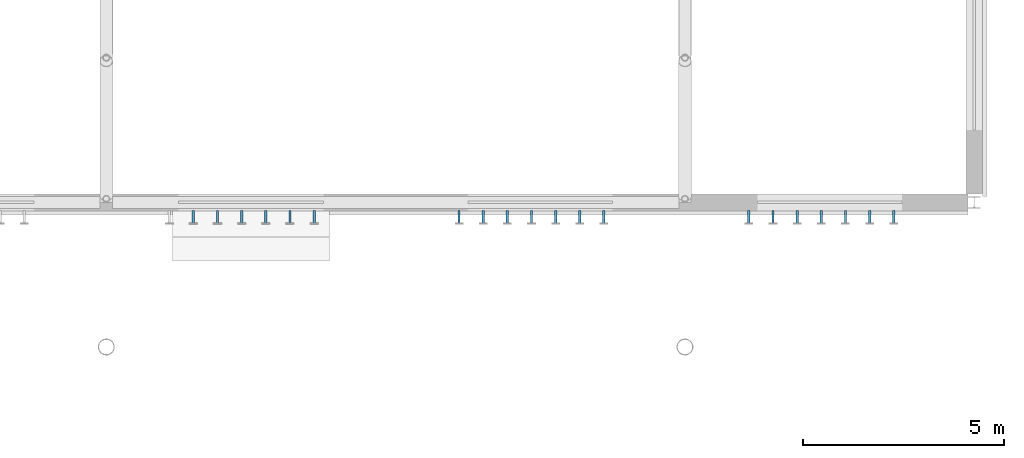
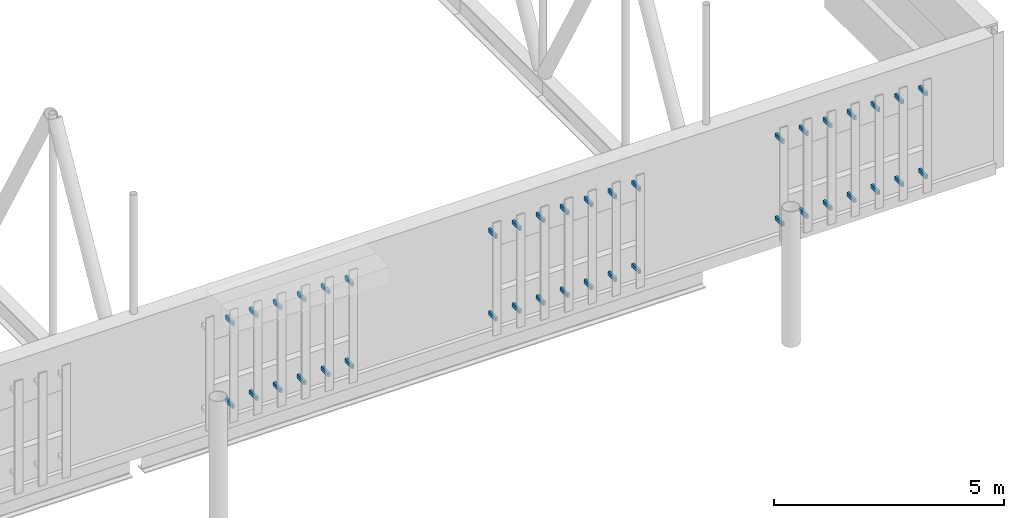
# One storey, part 112 of 142: 40 discrete accessories.
"""IFC4 building model written with IfcOpenShell, lengths in metres."""

import ifcopenshell
import ifcopenshell.guid

model = None  # the IFC model being written
_history = None  # IfcOwnerHistory: only IFC2X3 demands one
_inside = {}  # id of a spatial element -> (the spatial element, [elements in it])
_under = {}  # id of a project, library or spatial element -> (it, [spatial elements below it])
_declared = {}  # id of a project -> (the project, [libraries it declares])
_typed = {}  # id of a type object -> (the type object, [elements of that type])
_made_of = {}  # id of a material, layer set ... -> (it, [elements and type objects made of it])


def new_model(schema):
    """Start an empty IFC model of exactly this schema.

    Asked for "IFC4X3", IfcOpenShell would pick the latest addendum, in which some entities
    have other attributes; the version numbers below select the first issue.
    IFC2X3 requires an IfcOwnerHistory on every rooted entity: one is made here for all.
    """
    global model, _history
    if schema == "IFC4X3":
        model = ifcopenshell.file(schema_version=(4, 3, 0, 0))
    else:
        model = ifcopenshell.file(schema=schema)
    _inside.clear()
    _under.clear()
    _declared.clear()
    _typed.clear()
    _made_of.clear()
    _history = None
    if model.schema == "IFC2X3":
        org = make("IfcOrganization", Name="unknown")
        user = make(
            "IfcPersonAndOrganization",
            ThePerson=make("IfcPerson", FamilyName="unknown"),
            TheOrganization=org,
        )
        app = make(
            "IfcApplication",
            ApplicationDeveloper=org,
            Version="unknown",
            ApplicationFullName="unknown",
            ApplicationIdentifier="unknown",
        )
        _history = make(
            "IfcOwnerHistory",
            OwningUser=user,
            OwningApplication=app,
            ChangeAction="ADDED",
            CreationDate=0,
        )
    return model


def make(cls, **values):
    """One entity of the class cls with the attributes given. An attribute that is None is left unset."""
    return model.create_entity(
        cls, **{name: value for name, value in values.items() if value is not None}
    )


def rooted(cls, **values):
    """An entity with a GlobalId (a new one), such as an element, a storey or a relation."""
    return make(cls, GlobalId=ifcopenshell.guid.new(), OwnerHistory=_history, **values)


def si_unit(unit_type, name, prefix=None):
    """IfcSIUnit, for example si_unit("LENGTHUNIT", "METRE", prefix="MILLI")."""
    return make("IfcSIUnit", UnitType=unit_type, Prefix=prefix, Name=name)


def assignment(units):
    """IfcUnitAssignment: the units of a project."""
    return None if units is None else make("IfcUnitAssignment", Units=units)


def point(xyz):
    """IfcCartesianPoint."""
    return None if xyz is None else make("IfcCartesianPoint", Coordinates=xyz)


def direction(xyz):
    """IfcDirection."""
    return None if xyz is None else make("IfcDirection", DirectionRatios=xyz)


def frame(location, z_axis=None, x_axis=None):
    """IfcAxis2Placement3D, a coordinate frame: its origin and axes. An axis left out is left unset."""
    return make(
        "IfcAxis2Placement3D",
        Location=point(location),
        Axis=direction(z_axis),
        RefDirection=direction(x_axis),
    )


def frame_2d(location, x_axis=None):
    """IfcAxis2Placement2D, a coordinate frame in the plane: its origin and x axis."""
    return make(
        "IfcAxis2Placement2D", Location=point(location), RefDirection=direction(x_axis)
    )


def origin():
    """The frame at (0, 0, 0) with its axes left unset."""
    return frame((0.0, 0.0, 0.0))


def origin_2d():
    """The frame at (0, 0) in the plane with its x axis left unset."""
    return frame_2d((0.0, 0.0))


def place(relative_to, where):
    """IfcLocalPlacement: puts the frame where relative to a parent placement (None: the world)."""
    return make(
        "IfcLocalPlacement", PlacementRelTo=relative_to, RelativePlacement=where
    )


def context(
    kind, dimensions, precision=None, world=None, true_north=None, identifier=None
):
    """IfcGeometricRepresentationContext, for example the 3D "Model" context."""
    return make(
        "IfcGeometricRepresentationContext",
        ContextIdentifier=identifier,
        ContextType=kind,
        CoordinateSpaceDimension=dimensions,
        Precision=precision,
        WorldCoordinateSystem=world,
        TrueNorth=true_north,
    )


def subcontext(parent, identifier, kind, view, scale=None):
    """IfcGeometricRepresentationSubContext, for example "Body" below "Model"."""
    return make(
        "IfcGeometricRepresentationSubContext",
        ContextIdentifier=identifier,
        ContextType=kind,
        ParentContext=parent,
        TargetScale=scale,
        TargetView=view,
    )


def project(units=None, contexts=None):
    """IfcProject with its units and contexts."""
    return rooted(
        "IfcProject",
        Name="project",
        RepresentationContexts=contexts,
        UnitsInContext=assignment(units),
    )


def spatial(cls, under=None, at=None, **own):
    """A site, building, storey or space (cls), placed at a placement, below another one or the project."""
    s = rooted(cls, ObjectPlacement=at, **own)
    if under is not None:
        _under.setdefault(under.id(), (under, []))[1].append(s)
    return s


def profile(cls, at=None, kind="AREA", **sizes):
    """A parametric profile (cls). Its sizes go by their IFC names, for example OverallWidth=200.0."""
    return make(cls, ProfileType=kind, Position=at, **sizes)


def rectangle(**sizes):
    """IfcRectangleProfileDef."""
    return profile("IfcRectangleProfileDef", **sizes)


def extrude(swept, where, along, depth):
    """IfcExtrudedAreaSolid: the profile swept, set in the frame where, extruded along a direction by depth."""
    return make(
        "IfcExtrudedAreaSolid",
        SweptArea=swept,
        Position=where,
        ExtrudedDirection=direction(along),
        Depth=depth,
    )


def shape(context_of_items, identifier, shape_type, items):
    """IfcShapeRepresentation: the items that make up one representation, for example the "Body"."""
    return make(
        "IfcShapeRepresentation",
        ContextOfItems=context_of_items,
        RepresentationIdentifier=identifier,
        RepresentationType=shape_type,
        Items=items,
    )


def material(Name=None, Category=None):
    """IfcMaterial."""
    return make("IfcMaterial", Name=Name, Category=Category)


def layer(
    of_material, thickness, ventilated=None, Name=None, Category=None, Priority=None
):
    """IfcMaterialLayer: one layer of a wall or slab, of a material (None: an air gap)."""
    return make(
        "IfcMaterialLayer",
        Material=of_material,
        LayerThickness=thickness,
        IsVentilated=ventilated,
        Name=Name,
        Category=Category,
        Priority=Priority,
    )


def layer_set(layers, Name=None):
    """IfcMaterialLayerSet."""
    return make("IfcMaterialLayerSet", MaterialLayers=layers, LayerSetName=Name)


def made_of(thing, what):
    """Note that an element or type object is made of a material, layer set ...; save() writes the relation."""
    if what is not None:
        _made_of.setdefault(what.id(), (what, []))[1].append(thing)
    return thing


def type_object(cls, material=None, **own):
    """A type object (cls), such as IfcWallType, which elements share."""
    return made_of(rooted(cls, **own), material)


def element(
    cls,
    number,
    at=None,
    inside=None,
    cuts=None,
    type_object=None,
    material=None,
    context=None,
    identifier="Body",
    shape_type=None,
    held_by="IfcProductDefinitionShape",
    body=None,
    shapes=None,
    **own,
):
    """One element of the class cls, such as IfcWall. Its Tag is "e" and its number.

    at: its placement. inside: the storey or other place that contains it. cuts: it is an
    opening in that element (IfcRelVoidsElement). A single representation is given by context,
    identifier, shape_type and body (its items); several are given by shapes. held_by: the class
    of the entity that holds the representations. save() writes the other relations.
    """
    e = rooted(cls, Tag="e%d" % number, ObjectPlacement=at, **own)
    if body is not None:
        shapes = [shape(context, identifier, shape_type, body)]
    if shapes is not None:
        e.Representation = make(held_by, Representations=shapes)
    if inside is not None:
        _inside.setdefault(inside.id(), (inside, []))[1].append(e)
    if cuts is not None:
        rooted(
            "IfcRelVoidsElement", RelatingBuildingElement=cuts, RelatedOpeningElement=e
        )
    if type_object is not None:
        _typed.setdefault(type_object.id(), (type_object, []))[1].append(e)
    return made_of(e, material)


def aggregate(whole, parts):
    """IfcRelAggregates: a whole, such as a stair, and the parts it consists of."""
    return rooted("IfcRelAggregates", RelatingObject=whole, RelatedObjects=parts)


def save(model, path):
    """Write the relations noted so far, then the file.

    IfcRelAggregates (storeys below a building ...), IfcRelContainedInSpatialStructure (elements
    in a storey), IfcRelDefinesByType, IfcRelAssociatesMaterial and IfcRelDeclares: one each for
    every whole, place, type object, material and project.
    """
    for whole, parts in _under.values():
        aggregate(whole, parts)
    for where, things in _inside.values():
        rooted(
            "IfcRelContainedInSpatialStructure",
            RelatedElements=things,
            RelatingStructure=where,
        )
    for kind, things in _typed.values():
        rooted("IfcRelDefinesByType", RelatedObjects=things, RelatingType=kind)
    for what, things in _made_of.values():
        rooted("IfcRelAssociatesMaterial", RelatedObjects=things, RelatingMaterial=what)
    for by, libraries in _declared.values():
        rooted("IfcRelDeclares", RelatingContext=by, RelatedDefinitions=libraries)
    model.write(path)


model = new_model("IFC4")

# Units and contexts
model_context = context("Model", 3, precision=1e-05, world=origin(), true_north=direction((0.0, 1.0)))
body_context = subcontext(model_context, "Body", "Model", "MODEL_VIEW")
ifc_project = project(units=[si_unit("LENGTHUNIT", "METRE"), si_unit("AREAUNIT", "SQUARE_METRE"), si_unit("VOLUMEUNIT", "CUBIC_METRE"), si_unit("PLANEANGLEUNIT", "RADIAN"), si_unit("MASSUNIT", "GRAM", prefix="KILO")], contexts=[model_context])

# Site, building, storey
site_placement = place(None, origin())
site = spatial("IfcSite", under=ifc_project, at=site_placement, CompositionType="ELEMENT")
building_placement = place(site_placement, origin())
building = spatial("IfcBuilding", under=site, at=building_placement, Name="Kupolbacken Congress Centre", CompositionType="ELEMENT")
storey_placement = place(building_placement, frame((0.0, 0.0, 14.39990234375)))
storey = spatial("IfcBuildingStorey", under=building, at=storey_placement, Name="L04", CompositionType="ELEMENT", Elevation=14.39990234375)

# Discrete accessories
ifc_material = material(Name="Steel S355", Category="steel")
ifc_layer = layer(ifc_material, 0.011962890625)
ifc_layer_set = layer_set([ifc_layer], Name="Steel S355")
discrete_accessory_type = type_object("IfcDiscreteAccessoryType", Name="BK1 bracket 150 x 150 x 12", PredefinedType="BRACKET", material=ifc_layer_set)
for number, where, z_axis, x_axis, name in (
    (1, (182.166748046875, 42.840087890625, 0.650146484375), (0.0, 0.0, 1.0), (1.0, 0.0, 0.0), "E/brise/S/L04/439/B159/BR1"),
    (2, (182.166748046875, 42.840087890625, 2.85009765625), (0.0, 0.0, 1.0), (1.0, 0.0, 0.0), "E/brise/S/L04/439/B159/BR2"),
    (3, (182.767822265625, 42.840087890625, 0.650146484375), (0.0, 0.0, 1.0), (1.0, 0.0, 0.0), "E/brise/S/L04/439/B160/BR1"),
    (4, (182.767822265625, 42.840087890625, 2.85009765625), (0.0, 0.0, 1.0), (1.0, 0.0, 0.0), "E/brise/S/L04/439/B160/BR2"),
    (5, (183.368896484375, 42.840087890625, 0.650146484375), (0.0, 0.0, 1.0), (1.0, 0.0, 0.0), "E/brise/S/L04/439/B161/BR1"),
    (6, (183.368896484375, 42.840087890625, 2.85009765625), (0.0, 0.0, 1.0), (1.0, 0.0, 0.0), "E/brise/S/L04/439/B161/BR2"),
    (7, (183.969970703125, 42.840087890625, 0.650146484375), (0.0, 0.0, 1.0), (1.0, 0.0, 0.0), "E/brise/S/L04/439/B162/BR1"),
    (8, (183.969970703125, 42.840087890625, 2.85009765625), (0.0, 0.0, 1.0), (1.0, 0.0, 0.0), "E/brise/S/L04/439/B162/BR2"),
    (9, (184.571044921875, 42.840087890625, 0.650146484375), (0.0, 0.0, 1.0), (1.0, 0.0, 0.0), "E/brise/S/L04/439/B163/BR1"),
    (10, (184.571044921875, 42.840087890625, 2.85009765625), (0.0, 0.0, 1.0), (1.0, 0.0, 0.0), "E/brise/S/L04/439/B163/BR2"),
    (11, (185.172119140625, 42.840087890625, 0.650146484375), (0.0, 0.0, 1.0), (1.0, 0.0, 0.0), "E/brise/S/L04/439/B164/BR1"),
    (12, (185.172119140625, 42.840087890625, 2.85009765625), (0.0, 0.0, 1.0), (1.0, 0.0, 0.0), "E/brise/S/L04/439/B164/BR2"),
    (13, (188.7783203125, 42.840087890625, 0.650146484375), (0.0, 0.0, 1.0), (1.0, 0.0, 0.0), "E/brise/S/L04/439/B170/BR1"),
    (14, (188.7783203125, 42.840087890625, 2.85009765625), (0.0, 0.0, 1.0), (1.0, 0.0, 0.0), "E/brise/S/L04/439/B170/BR2"),
    (15, (189.37939453125, 42.840087890625, 0.650146484375), (0.0, 0.0, 1.0), (1.0, 0.0, 0.0), "E/brise/S/L04/439/B171/BR1"),
    (16, (189.37939453125, 42.840087890625, 2.85009765625), (0.0, 0.0, 1.0), (1.0, 0.0, 0.0), "E/brise/S/L04/439/B171/BR2"),
    (17, (189.98046875, 42.840087890625, 0.650146484375), (0.0, 0.0, 1.0), (1.0, 0.0, 0.0), "E/brise/S/L04/439/B172/BR1"),
    (18, (189.98046875, 42.840087890625, 2.85009765625), (0.0, 0.0, 1.0), (1.0, 0.0, 0.0), "E/brise/S/L04/439/B172/BR2"),
    (19, (190.58154296875, 42.840087890625, 0.650146484375), (0.0, 0.0, 1.0), (1.0, 0.0, 0.0), "E/brise/S/L04/439/B173/BR1"),
    (20, (190.58154296875, 42.840087890625, 2.85009765625), (0.0, 0.0, 1.0), (1.0, 0.0, 0.0), "E/brise/S/L04/439/B173/BR2"),
    (21, (191.1826171875, 42.840087890625, 0.650146484375), (0.0, 0.0, 1.0), (1.0, 0.0, 0.0), "E/brise/S/L04/439/B174/BR1"),
    (22, (191.1826171875, 42.840087890625, 2.85009765625), (0.0, 0.0, 1.0), (1.0, 0.0, 0.0), "E/brise/S/L04/439/B174/BR2"),
    (23, (191.78369140625, 42.840087890625, 0.650146484375), (0.0, 0.0, 1.0), (1.0, 0.0, 0.0), "E/brise/S/L04/439/B175/BR1"),
    (24, (191.78369140625, 42.840087890625, 2.85009765625), (0.0, 0.0, 1.0), (1.0, 0.0, 0.0), "E/brise/S/L04/439/B175/BR2"),
    (25, (192.384765625, 42.840087890625, 0.650146484375), (0.0, 0.0, 1.0), (1.0, 0.0, 0.0), "E/brise/S/L04/439/B176/BR1"),
    (26, (192.384765625, 42.840087890625, 2.85009765625), (0.0, 0.0, 1.0), (1.0, 0.0, 0.0), "E/brise/S/L04/439/B176/BR2"),
    (27, (195.990966796875, 42.840087890625, 0.650146484375), (0.0, 0.0, 1.0), (1.0, 0.0, 0.0), "E/brise/S/L04/439/B182/BR1"),
    (28, (195.990966796875, 42.840087890625, 2.85009765625), (0.0, 0.0, 1.0), (1.0, 0.0, 0.0), "E/brise/S/L04/439/B182/BR2"),
    (29, (196.592041015625, 42.840087890625, 0.650146484375), (0.0, 0.0, 1.0), (1.0, 0.0, 0.0), "E/brise/S/L04/439/B183/BR1"),
    (30, (196.592041015625, 42.840087890625, 2.85009765625), (0.0, 0.0, 1.0), (1.0, 0.0, 0.0), "E/brise/S/L04/439/B183/BR2"),
    (31, (197.193115234375, 42.840087890625, 0.650146484375), (0.0, 0.0, 1.0), (1.0, 0.0, 0.0), "E/brise/S/L04/439/B184/BR1"),
    (32, (197.193115234375, 42.840087890625, 2.85009765625), (0.0, 0.0, 1.0), (1.0, 0.0, 0.0), "E/brise/S/L04/439/B184/BR2"),
    (33, (197.794189453125, 42.840087890625, 0.650146484375), (0.0, 0.0, 1.0), (1.0, 0.0, 0.0), "E/brise/S/L04/439/B185/BR1"),
    (34, (197.794189453125, 42.840087890625, 2.85009765625), (0.0, 0.0, 1.0), (1.0, 0.0, 0.0), "E/brise/S/L04/439/B185/BR2"),
    (35, (198.395263671875, 42.840087890625, 0.650146484375), (0.0, 0.0, 1.0), (1.0, 0.0, 0.0), "E/brise/S/L04/439/B186/BR1"),
    (36, (198.395263671875, 42.840087890625, 2.85009765625), (0.0, 0.0, 1.0), (1.0, 0.0, 0.0), "E/brise/S/L04/439/B186/BR2"),
    (37, (198.996337890625, 42.840087890625, 0.650146484375), (0.0, 0.0, 1.0), (1.0, 0.0, 0.0), "E/brise/S/L04/439/B187/BR1"),
    (38, (198.996337890625, 42.840087890625, 2.85009765625), (0.0, 0.0, 1.0), (1.0, 0.0, 0.0), "E/brise/S/L04/439/B187/BR2"),
    (39, (199.597412109375, 42.840087890625, 0.650146484375), (0.0, 0.0, 1.0), (1.0, 0.0, 0.0), "E/brise/S/L04/439/B188/BR1"),
    (40, (199.597412109375, 42.840087890625, 2.85009765625), (0.0, 0.0, 1.0), (1.0, 0.0, 0.0), "E/brise/S/L04/439/B188/BR2"),
):
    element("IfcDiscreteAccessory", number, at=place(storey_placement, frame(where, z_axis=z_axis, x_axis=x_axis)), inside=storey, type_object=discrete_accessory_type, Name=name, PredefinedType="BRACKET", context=body_context, shape_type="SweptSolid", body=[
        extrude(rectangle(XDim=0.06005859375, YDim=0.31005859375, at=origin_2d()), origin(), (0.0, 0.0, 1.0), 0.10009765625),
    ])

save(model, "model.ifc")
